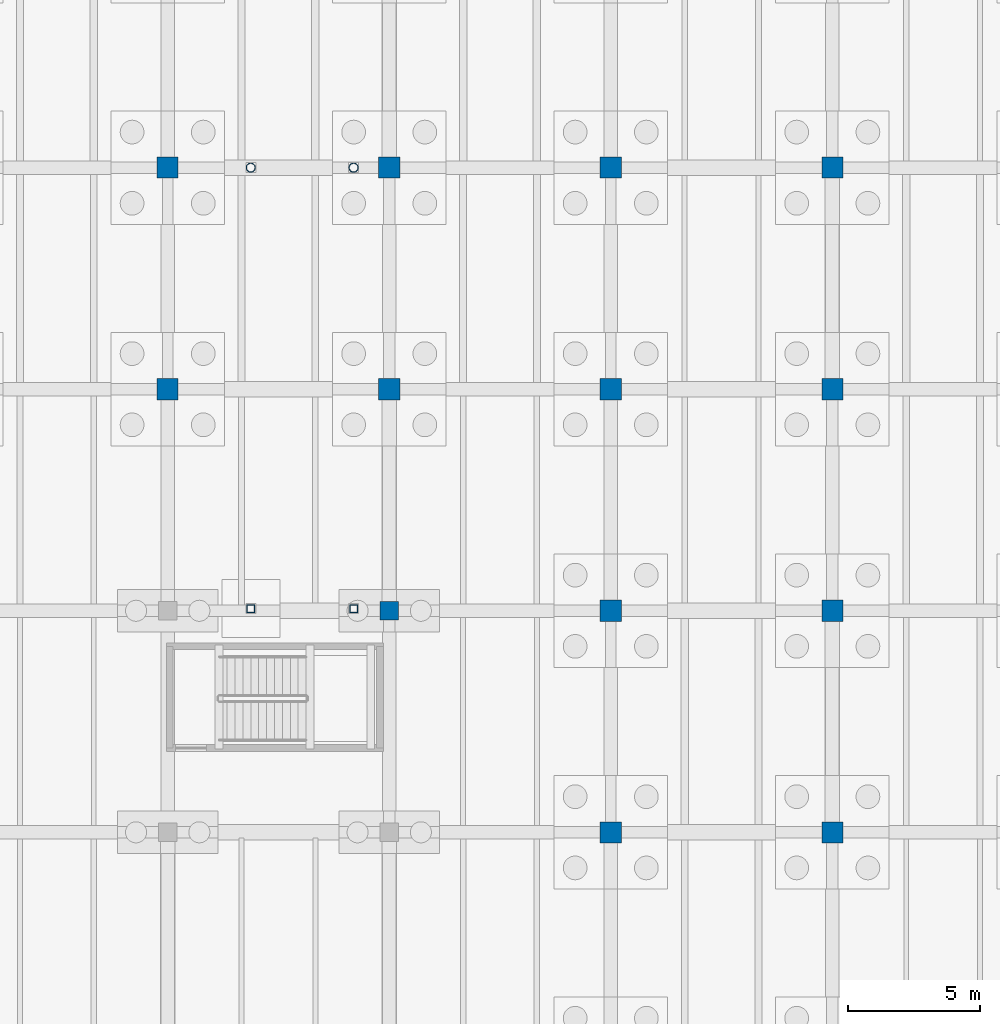
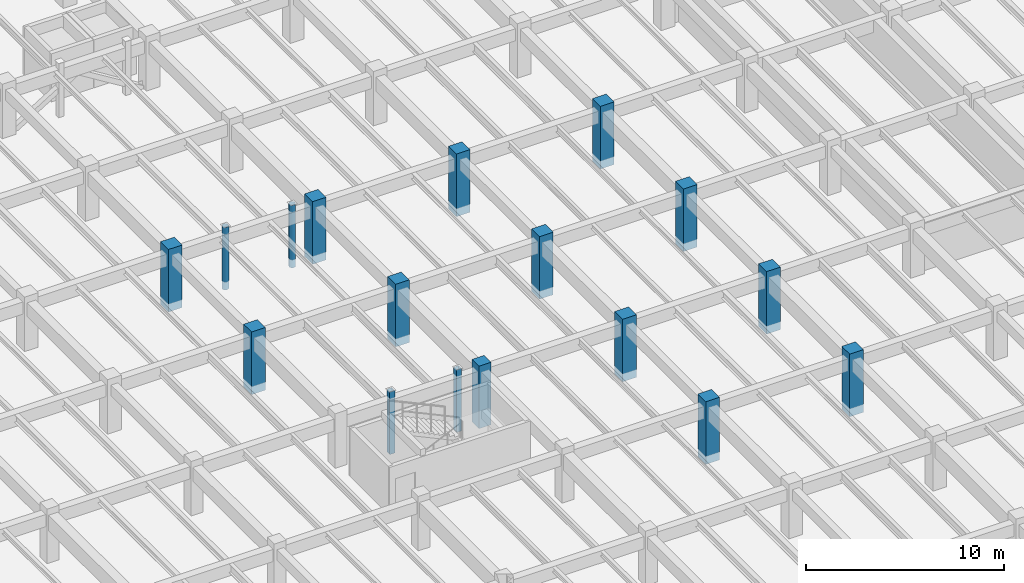
# One storey, part 17 of 70: 17 columns.
"""IFC4 building model written with IfcOpenShell, lengths in metres."""

from ifc_helpers import new_model, si_unit, direction, frame, origin, origin_2d, place, context, subcontext, project, spatial, rectangle, hollow_rectangle, hollow_circle, extrude, material, material_profile, profile_set, type_object, element, save


model = new_model("IFC4")

# Units and contexts
model_context = context("Model", 3, precision=1e-05, world=origin(), true_north=direction((0.0, 1.0)))
body_context = subcontext(model_context, "Body", "Model", "MODEL_VIEW")
ifc_project = project(units=[si_unit("LENGTHUNIT", "METRE"), si_unit("AREAUNIT", "SQUARE_METRE"), si_unit("VOLUMEUNIT", "CUBIC_METRE"), si_unit("PLANEANGLEUNIT", "RADIAN"), si_unit("MASSUNIT", "GRAM", prefix="KILO")], contexts=[model_context])

# Site, building, storey
site_placement = place(None, origin())
site = spatial("IfcSite", under=ifc_project, at=site_placement, CompositionType="ELEMENT")
building_placement = place(site_placement, origin())
building = spatial("IfcBuilding", under=site, at=building_placement, Name="Cumbredor Promenade Congress Hotel", CompositionType="ELEMENT")
storey_placement = place(building_placement, frame((0.0, 0.0, -7.56005859375)))
storey = spatial("IfcBuildingStorey", under=building, at=storey_placement, Name="B02", CompositionType="ELEMENT", Elevation=-7.56005859375)

# Columns
ifc_material_1 = material(Name="Concrete C40/50", Category="concrete")
ifc_material_profile_1 = material_profile(ifc_material_1, rectangle(XDim=0.699951171875, YDim=0.699951171875, at=origin_2d()), Name="RC 700x700")
ifc_profile_set_1 = profile_set([ifc_material_profile_1], Name="Concrete C40/50")
column_type_1 = type_object("IfcColumnType", Name="COL-RC-700", PredefinedType="COLUMN", material=ifc_profile_set_1)
column_placement = place(storey_placement, frame((109.199951171875, 50.39990234375, -0.5), z_axis=(0.0, 0.0, 1.0), x_axis=(1.0, 0.0, 0.0)))
element("IfcColumn", 1, at=column_placement, inside=storey, type_object=column_type_1, Name="B02 Structural Column 175", PredefinedType="COLUMN", context=body_context, shape_type="SweptSolid", body=[
    extrude(rectangle(XDim=0.699951171875, YDim=0.699951171875, at=origin_2d()), origin(), (0.0, 0.0, 1.0), 3.860107421875),
])
ifc_material_2 = material(Name="Concrete C50/60", Category="concrete")
ifc_material_profile_2 = material_profile(ifc_material_2, rectangle(XDim=0.800048828125, YDim=0.800048828125, at=origin_2d()), Name="RC 800x800")
ifc_profile_set_2 = profile_set([ifc_material_profile_2], Name="Concrete C50/60")
column_type_2 = type_object("IfcColumnType", Name="COL-RC-800", PredefinedType="COLUMN", material=ifc_profile_set_2)
for number, where, z_axis, x_axis, name in (
    (2, (100.800048828125, 58.800048828125, -0.5), (0.0, 0.0, 1.0), (1.0, 0.0, 0.0), "B02 Structural Column 162"),
    (3, (100.800048828125, 67.199951171875, -0.5), (0.0, 0.0, 1.0), (1.0, 0.0, 0.0), "B02 Structural Column 163"),
    (4, (109.199951171875, 58.800048828125, -0.5), (0.0, 0.0, 1.0), (1.0, 0.0, 0.0), "B02 Structural Column 176"),
    (5, (109.199951171875, 67.199951171875, -0.5), (0.0, 0.0, 1.0), (1.0, 0.0, 0.0), "B02 Structural Column 177"),
    (6, (117.60009765625, 42.0, -0.5), (0.0, 0.0, 1.0), (1.0, 0.0, 0.0), "B02 Structural Column 188"),
    (7, (117.60009765625, 50.39990234375, -0.5), (0.0, 0.0, 1.0), (1.0, 0.0, 0.0), "B02 Structural Column 189"),
    (8, (117.60009765625, 58.800048828125, -0.5), (0.0, 0.0, 1.0), (1.0, 0.0, 0.0), "B02 Structural Column 190"),
    (9, (117.60009765625, 67.199951171875, -0.5), (0.0, 0.0, 1.0), (1.0, 0.0, 0.0), "B02 Structural Column 191"),
    (10, (126.0, 42.0, -0.5), (0.0, 0.0, 1.0), (1.0, 0.0, 0.0), "B02 Structural Column 202"),
    (11, (126.0, 50.39990234375, -0.5), (0.0, 0.0, 1.0), (1.0, 0.0, 0.0), "B02 Structural Column 203"),
    (12, (126.0, 58.800048828125, -0.5), (0.0, 0.0, 1.0), (1.0, 0.0, 0.0), "B02 Structural Column 204"),
    (13, (126.0, 67.199951171875, -0.5), (0.0, 0.0, 1.0), (1.0, 0.0, 0.0), "B02 Structural Column 205"),
):
    element("IfcColumn", number, at=place(storey_placement, frame(where, z_axis=z_axis, x_axis=x_axis)), inside=storey, type_object=column_type_2, Name=name, PredefinedType="COLUMN", context=body_context, shape_type="SweptSolid", body=[
        extrude(rectangle(XDim=0.800048828125, YDim=0.800048828125, at=origin_2d()), origin(), (0.0, 0.0, 1.0), 3.860107421875),
    ])
ifc_material_3 = material(Name="Steel ASTM A500 Grade C", Category="steel")
ifc_material_profile_3 = material_profile(ifc_material_3, hollow_circle(Radius=0.177734375, WallThickness=0.01611328125, at=origin_2d()), Name="CHS 355.6x16")
ifc_profile_set_3 = profile_set([ifc_material_profile_3], Name="Steel ASTM A500 Grade C")
column_type_3 = type_object("IfcColumnType", Name="COL-STL-CHS355", PredefinedType="COLUMN", material=ifc_profile_set_3)
for number, where, z_axis, x_axis, name in (
    (14, (103.949951171875, 67.199951171875, -0.5), (0.0, 0.0, 1.0), (1.0, 0.0, 0.0), "B02 Pool Bridge Mid Sub-Pier 1"),
    (15, (107.85009765625, 67.199951171875, -0.5), (0.0, 0.0, 1.0), (1.0, 0.0, 0.0), "B02 Pool Bridge Mid Sub-Pier 2"),
):
    element("IfcColumn", number, at=place(storey_placement, frame(where, z_axis=z_axis, x_axis=x_axis)), inside=storey, type_object=column_type_3, Name=name, PredefinedType="COLUMN", context=body_context, shape_type="SweptSolid", body=[
        extrude(hollow_circle(Radius=0.177734375, WallThickness=0.01611328125, at=origin_2d()), origin(), (0.0, 0.0, 1.0), 3.860107421875),
    ])
ifc_material_profile_4 = material_profile(ifc_material_3, hollow_rectangle(XDim=0.300048828125, YDim=0.300048828125, WallThickness=0.01611328125, at=origin_2d()), Name="HSS 300x300x16")
ifc_profile_set_4 = profile_set([ifc_material_profile_4], Name="Steel ASTM A500 Grade C")
column_type_4 = type_object("IfcColumnType", Name="COL-STL-HSS300", PredefinedType="COLUMN", material=ifc_profile_set_4)
for number, where, z_axis, x_axis, name in (
    (16, (103.949951171875, 50.47998046875, -0.5), (0.0, 0.0, 1.0), (1.0, 0.0, 0.0), "Central Reflecting-Pool Promenade Bridge B02 Substructure Pier 1"),
    (17, (107.85009765625, 50.47998046875, -0.5), (0.0, 0.0, 1.0), (1.0, 0.0, 0.0), "Central Reflecting-Pool Promenade Bridge B02 Substructure Pier 2"),
):
    element("IfcColumn", number, at=place(storey_placement, frame(where, z_axis=z_axis, x_axis=x_axis)), inside=storey, type_object=column_type_4, Name=name, PredefinedType="COLUMN", context=body_context, shape_type="SweptSolid", body=[
        extrude(hollow_rectangle(XDim=0.300048828125, YDim=0.300048828125, WallThickness=0.01611328125, at=origin_2d()), origin(), (0.0, 0.0, 1.0), 3.860107421875),
    ])

save(model, "model.ifc")
